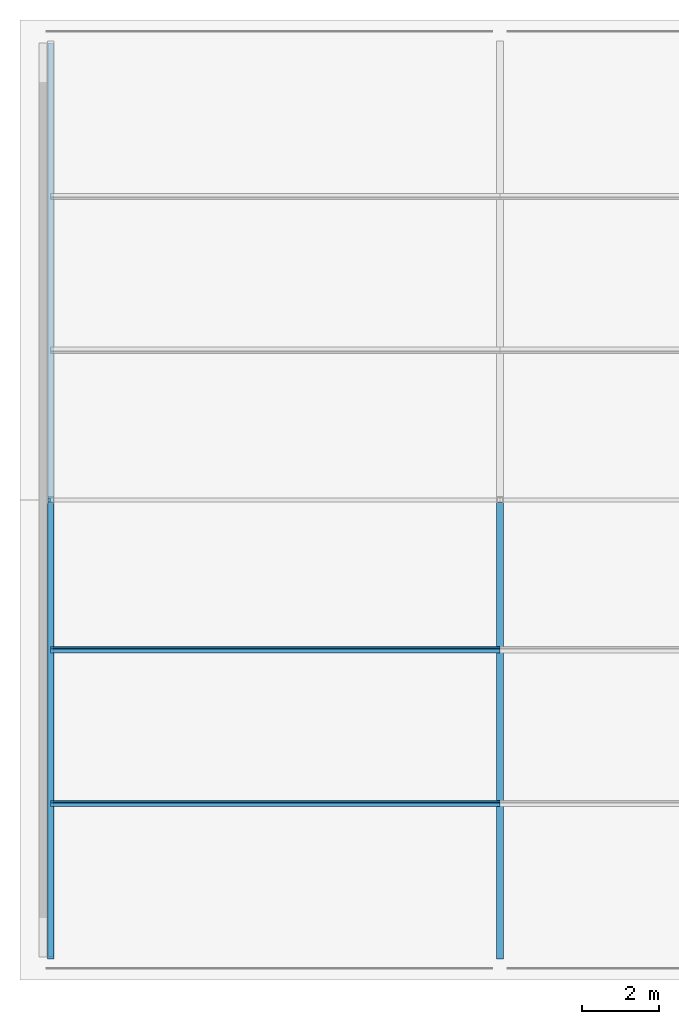
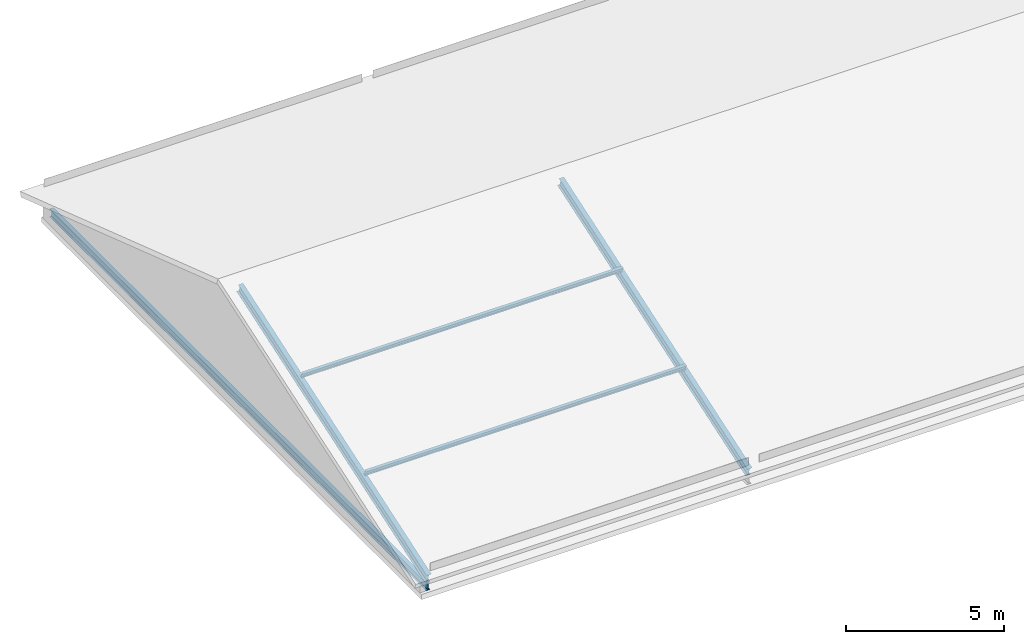
# One storey, part 1 of 12: 5 members.
"""IFC4 building model written with IfcOpenShell, lengths in metres."""

from ifc_helpers import new_model, si_unit, direction, frame, origin, origin_2d, place, context, subcontext, project, spatial, i_section, extrude, material, material_profile, profile_set, type_object, element, save


model = new_model("IFC4")

# Units and contexts
model_context = context("Model", 3, precision=1e-05, world=origin(), true_north=direction((0.0, 1.0)))
body_context = subcontext(model_context, "Body", "Model", "MODEL_VIEW")
ifc_project = project(units=[si_unit("LENGTHUNIT", "METRE"), si_unit("AREAUNIT", "SQUARE_METRE"), si_unit("VOLUMEUNIT", "CUBIC_METRE"), si_unit("PLANEANGLEUNIT", "RADIAN"), si_unit("MASSUNIT", "GRAM", prefix="KILO")], contexts=[model_context])

# Site, building, storey
site_placement = place(None, origin())
site = spatial("IfcSite", under=ifc_project, at=site_placement, CompositionType="ELEMENT")
building_placement = place(site_placement, origin())
building = spatial("IfcBuilding", under=site, at=building_placement, Name="Lilac Gate Convention Centre", CompositionType="ELEMENT")
storey_placement = place(building_placement, frame((0.0, 0.0, 71.39990234375)))
storey = spatial("IfcBuildingStorey", under=building, at=storey_placement, Name="Roof", CompositionType="ELEMENT", Elevation=71.39990234375)

# Members
ifc_material = material(Name="Steel Q355B", Category="steel")
ifc_material_profile_1 = material_profile(ifc_material, i_section(OverallWidth=0.10009765625, OverallDepth=0.199951171875, WebThickness=0.005615234375, FlangeThickness=0.008056640625, FilletRadius=0.008056640625, at=origin_2d()), Name="HN200x100x5.5x8")
ifc_profile_set_1 = profile_set([ifc_material_profile_1], Name="Steel Q355B")
member_type_1 = type_object("IfcMemberType", Name="Crown purlin HN200x100x5.5x8", PredefinedType="PURLIN", material=ifc_profile_set_1)
for number, where, z_axis, x_axis, name in (
    (1, (42.300048828125, 226.10009765625, 2.1005859375), (1.0, 0.0, 0.0), (0.0, 0.947883747493, 0.318616385704), "CU1 crown purlin 1 bay 1"),
    (2, (42.300048828125, 230.10009765625, 3.4453125), (1.0, 0.0, 0.0), (0.0, 0.947883747493, 0.318616385704), "CU1 crown purlin 2 bay 1"),
):
    element("IfcMember", number, at=place(storey_placement, frame(where, z_axis=z_axis, x_axis=x_axis)), inside=storey, type_object=member_type_1, Name=name, PredefinedType="PURLIN", context=body_context, shape_type="SweptSolid", body=[
        extrude(i_section(OverallWidth=0.10009765625, OverallDepth=0.199951171875, WebThickness=0.005615234375, FlangeThickness=0.008056640625, FilletRadius=0.008056640625, at=origin_2d()), origin(), (0.0, 0.0, 1.0), 11.699951171875),
    ])
ifc_material_profile_2 = material_profile(ifc_material, i_section(OverallWidth=0.175048828125, OverallDepth=0.35009765625, WebThickness=0.007080078125, FlangeThickness=0.010986328125, FilletRadius=0.012939453125, at=origin_2d()), Name="HN350x175x7x11")
ifc_profile_set_2 = profile_set([ifc_material_profile_2], Name="Steel Q355B")
member_type_2 = type_object("IfcMemberType", Name="Crown rafter HN350x175x7x11", PredefinedType="RAFTER", material=ifc_profile_set_2)
for number, where, z_axis, x_axis, name in (
    (3, (42.300048828125, 222.10009765625, 0.466064453125), (0.0, 0.947882957814, 0.318618734989), (-1.0, 0.0, 0.0), "CR1 crown frame 1 rafter S"),
    (4, (54.0, 222.10009765625, 0.466064453125), (0.0, 0.947882957814, 0.318618734989), (-1.0, 0.0, 0.0), "CR1 crown frame 2 rafter S"),
):
    element("IfcMember", number, at=place(storey_placement, frame(where, z_axis=z_axis, x_axis=x_axis)), inside=storey, type_object=member_type_2, Name=name, PredefinedType="RAFTER", context=body_context, shape_type="SweptSolid", body=[
        extrude(i_section(OverallWidth=0.175048828125, OverallDepth=0.35009765625, WebThickness=0.007080078125, FlangeThickness=0.010986328125, FilletRadius=0.012939453125, at=origin_2d()), origin(), (0.0, 0.0, 1.0), 12.55419921875),
    ])
ifc_material_profile_3 = material_profile(ifc_material, i_section(OverallWidth=0.14990234375, OverallDepth=0.300048828125, WebThickness=0.006591796875, FlangeThickness=0.009033203125, FilletRadius=0.012939453125, at=origin_2d()), Name="HN300x150x6.5x9")
ifc_profile_set_3 = profile_set([ifc_material_profile_3], Name="Steel Q355B")
member_type_3 = type_object("IfcMemberType", Name="Crown tie HN300x150x6.5x9", PredefinedType="STRUT", material=ifc_profile_set_3)
member_placement = place(storey_placement, frame((42.300048828125, 222.10009765625, 0.150146484375), z_axis=(0.0, 1.0, 0.0), x_axis=(-1.0, 0.0, 0.0)))
element("IfcMember", 5, at=member_placement, inside=storey, type_object=member_type_3, Name="CT1 crown frame 1 tie", PredefinedType="STRUT", context=body_context, shape_type="SweptSolid", body=[
    extrude(i_section(OverallWidth=0.14990234375, OverallDepth=0.300048828125, WebThickness=0.006591796875, FlangeThickness=0.009033203125, FilletRadius=0.012939453125, at=origin_2d()), origin(), (0.0, 0.0, 1.0), 23.7998046875),
])

save(model, "model.ifc")
